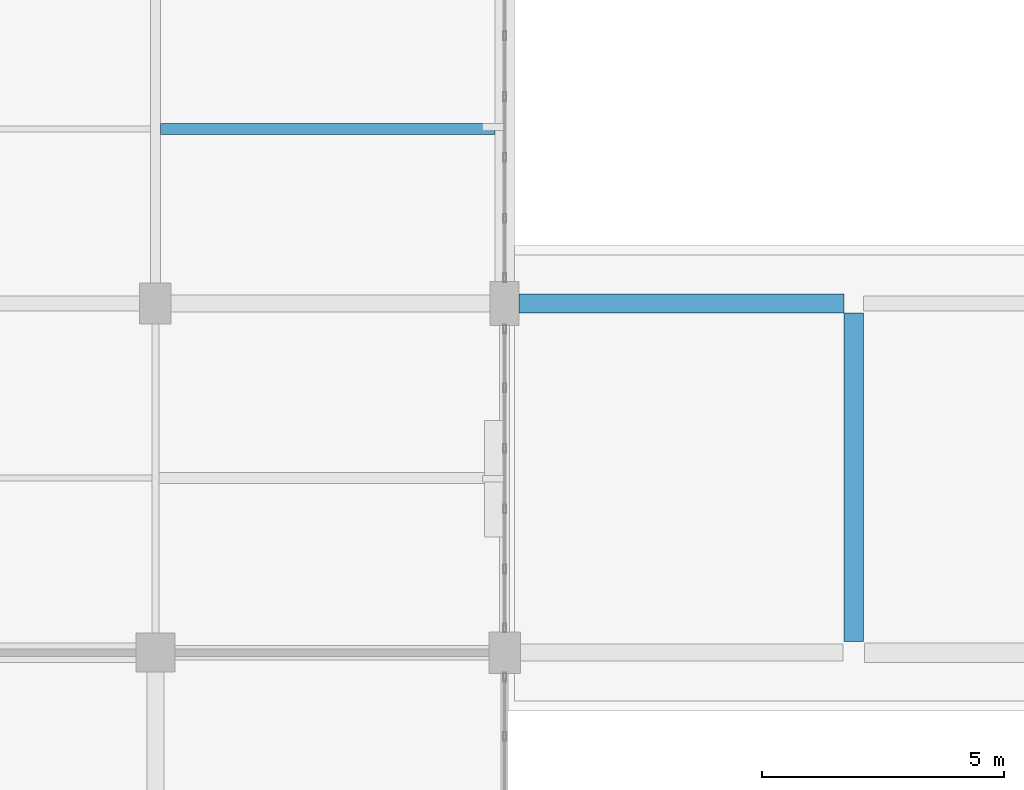
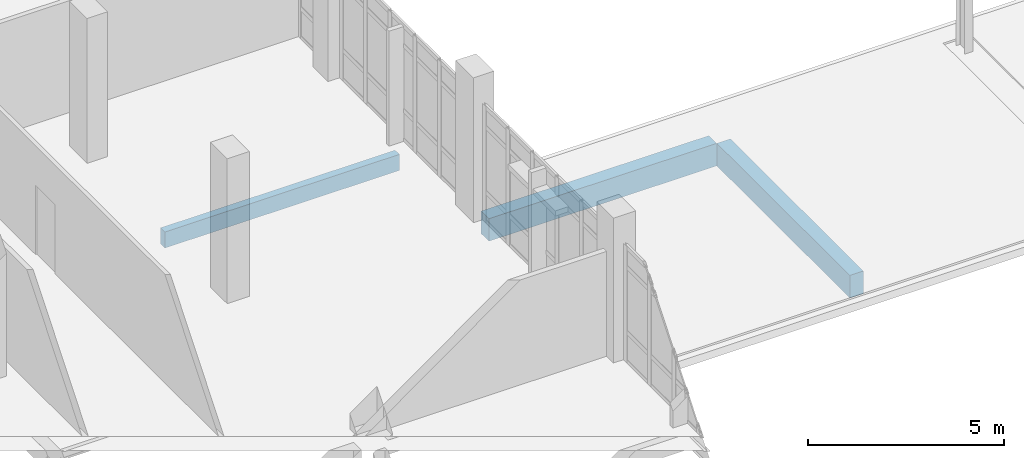
# One storey, part 18 of 134: 3 beams.
"""IFC4 building model written with IfcOpenShell, lengths in metres."""

from ifc_helpers import new_model, si_unit, direction, frame, origin, origin_2d, place, context, subcontext, project, spatial, rectangle, extrude, material, material_profile, profile_set, type_object, element, save


model = new_model("IFC4")

# Units and contexts
model_context = context("Model", 3, precision=1e-05, world=origin(), true_north=direction((0.0, 1.0)))
body_context = subcontext(model_context, "Body", "Model", "MODEL_VIEW")
ifc_project = project(units=[si_unit("LENGTHUNIT", "METRE"), si_unit("AREAUNIT", "SQUARE_METRE"), si_unit("VOLUMEUNIT", "CUBIC_METRE"), si_unit("PLANEANGLEUNIT", "RADIAN"), si_unit("MASSUNIT", "GRAM", prefix="KILO")], contexts=[model_context])

# Site, building, storey
site_placement = place(None, origin())
site = spatial("IfcSite", under=ifc_project, at=site_placement, CompositionType="ELEMENT")
building_placement = place(site_placement, origin())
building = spatial("IfcBuilding", under=site, at=building_placement, Name="Kalluvel Institute of Natural Sciences", CompositionType="ELEMENT")
storey_placement = place(building_placement, frame((0.0, 0.0, 5.39990234375)))
storey = spatial("IfcBuildingStorey", under=building, at=storey_placement, Name="L01", CompositionType="ELEMENT", Elevation=5.39990234375)

# Beams
ifc_material = material(Name="Concrete M40", Category="concrete")
ifc_material_profile_1 = material_profile(ifc_material, rectangle(XDim=0.39990234375, YDim=0.699951171875, at=origin_2d()), Name="RCB 400x700")
ifc_profile_set_1 = profile_set([ifc_material_profile_1], Name="Concrete M40")
beam_type_1 = type_object("IfcBeamType", Name="BM-RC400x700", PredefinedType="BEAM", material=ifc_profile_set_1)
beam_1_placement = place(storey_placement, frame((42.800048828125, 28.625, -0.58984375), z_axis=(0.0, 1.0, 0.0), x_axis=(-1.0, 0.0, 0.0)))
element("IfcBeam", 1, at=beam_1_placement, inside=storey, type_object=beam_type_1, Name="L01 girder GIR-L01-NS-X428-Y284", PredefinedType="BEAM", context=body_context, shape_type="SweptSolid", body=[
    extrude(rectangle(XDim=0.39990234375, YDim=0.699951171875, at=origin_2d()), origin(), (0.0, 0.0, 1.0), 6.77490234375),
])
ifc_material_profile_2 = material_profile(ifc_material, rectangle(XDim=0.39990234375, YDim=0.699951171875, at=origin_2d()), Name="RCB 400x700")
ifc_profile_set_2 = profile_set([ifc_material_profile_2], Name="Concrete M40")
beam_type_2 = type_object("IfcBeamType", Name="SP-RC400x700", PredefinedType="SPANDREL", material=ifc_profile_set_2)
beam_2_placement = place(storey_placement, frame((35.89990234375, 35.60009765625, -0.58984375), z_axis=(1.0, 0.0, 0.0), x_axis=(0.0, 1.0, 0.0)))
element("IfcBeam", 2, at=beam_2_placement, inside=storey, type_object=beam_type_2, Name="L01 girder GIR-L01-EW-X356-Y356", PredefinedType="SPANDREL", context=body_context, shape_type="SweptSolid", body=[
    extrude(rectangle(XDim=0.39990234375, YDim=0.699951171875, at=origin_2d()), origin(), (0.0, 0.0, 1.0), 6.7001953125),
])
ifc_material_profile_3 = material_profile(ifc_material, rectangle(XDim=0.219970703125, YDim=0.5, at=origin_2d()), Name="WAF 220x500")
ifc_profile_set_3 = profile_set([ifc_material_profile_3], Name="Concrete M40")
beam_type_3 = type_object("IfcBeamType", Name="WJ-220x500", PredefinedType="JOIST", material=ifc_profile_set_3)
beam_3_placement = place(storey_placement, frame((28.5048828125, 39.199951171875, -0.5498046875), z_axis=(1.0, 0.0, 0.0), x_axis=(0.0, 1.0, 0.0)))
element("IfcBeam", 3, at=beam_3_placement, inside=storey, type_object=beam_type_3, Name="L01 floor rib RIB-L01-0636", PredefinedType="JOIST", context=body_context, shape_type="SweptSolid", body=[
    extrude(rectangle(XDim=0.219970703125, YDim=0.5, at=origin_2d()), origin(), (0.0, 0.0, 1.0), 6.89501953125),
])

save(model, "model.ifc")
